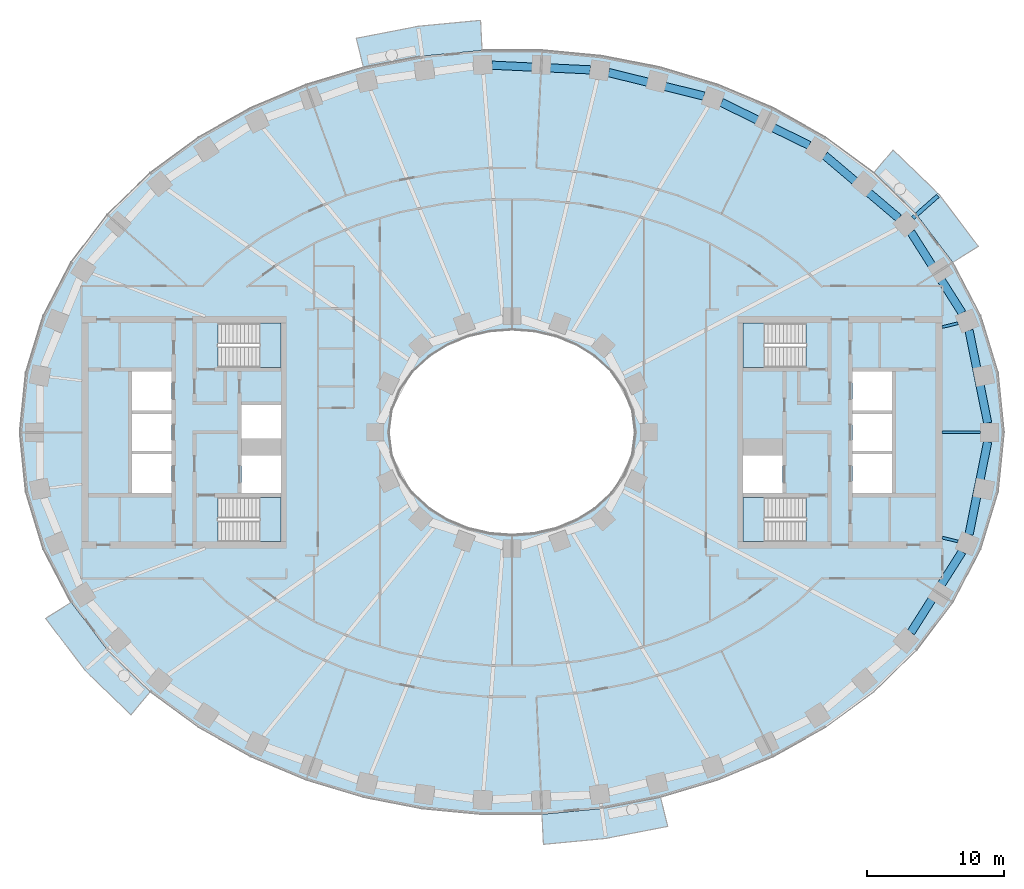
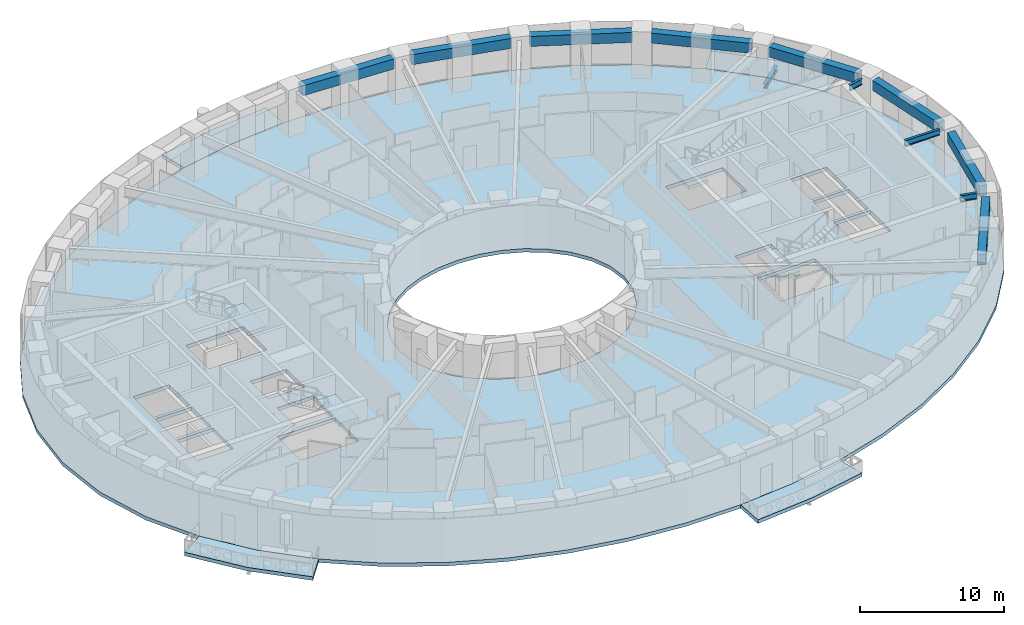
# One storey, part 2 of 16: 12 beams, 9 slabs, 4 elements without a shape of their own.
"""IFC4 building model written with IfcOpenShell, lengths in metres."""

from ifc_helpers import new_model, si_unit, direction, frame, origin, origin_2d, place, context, subcontext, project, spatial, polyline, rectangle, i_section, outline, extrude, material, layer, layer_set, material_profile, profile_set, type_object, element, aggregate, save


model = new_model("IFC4")

# Units and contexts
model_context = context("Model", 3, precision=1e-05, world=origin(), true_north=direction((0.0, 1.0)))
body_context = subcontext(model_context, "Body", "Model", "MODEL_VIEW")
ifc_project = project(units=[si_unit("LENGTHUNIT", "METRE"), si_unit("AREAUNIT", "SQUARE_METRE"), si_unit("VOLUMEUNIT", "CUBIC_METRE"), si_unit("PLANEANGLEUNIT", "RADIAN"), si_unit("MASSUNIT", "GRAM", prefix="KILO")], contexts=[model_context])

# Site, building, storey
site_placement = place(None, origin())
site = spatial("IfcSite", under=ifc_project, at=site_placement, CompositionType="ELEMENT")
building_placement = place(site_placement, origin())
building = spatial("IfcBuilding", under=site, at=building_placement, Name="Noorbagh Ring Tower", CompositionType="ELEMENT")
storey_placement = place(building_placement, frame((0.0, 0.0, 78.5)))
storey = spatial("IfcBuildingStorey", under=building, at=storey_placement, Name="L17", CompositionType="ELEMENT", Elevation=78.5)

# Beams
ifc_material_1 = material(Name="Steel S355", Category="steel")
ifc_material_profile_1 = material_profile(ifc_material_1, i_section(OverallWidth=0.300048828125, OverallDepth=0.39990234375, WebThickness=0.013427734375, FlangeThickness=0.02392578125, FilletRadius=0.027099609375, at=origin_2d()), Name="HEB400")
ifc_profile_set_1 = profile_set([ifc_material_profile_1], Name="Steel S355")
beam_type_1 = type_object("IfcBeamType", Name="STR-BALCONY-BRACKET-HEB400", PredefinedType="BEAM", material=ifc_profile_set_1)
beam_1_placement = place(storey_placement, frame((29.328125, 15.680908203125, -0.5), z_axis=(0.74904259367, 0.662521843314, 0.0), x_axis=(-0.662521843314, 0.74904259367, 0.0)))
element("IfcBeam", 1, at=beam_1_placement, inside=storey, type_object=beam_type_1, Name="Balcony bracket beam BN01", PredefinedType="BEAM", context=body_context, shape_type="SweptSolid", body=[
    extrude(i_section(OverallWidth=0.300048828125, OverallDepth=0.39990234375, WebThickness=0.013427734375, FlangeThickness=0.02392578125, FilletRadius=0.027099609375, at=origin_2d()), origin(), (0.0, 0.0, 1.0), 2.429443359375),
])
ifc_material_2 = material(Name="Steel S355", Category="steel")
ifc_material_profile_2 = material_profile(ifc_material_2, i_section(OverallWidth=0.199951171875, OverallDepth=0.5, WebThickness=0.01025390625, FlangeThickness=0.01611328125, FilletRadius=0.02099609375, at=origin_2d()), Name="IPE500")
ifc_profile_set_2 = profile_set([ifc_material_profile_2], Name="Steel S355")
beam_type_2 = type_object("IfcBeamType", Name="STR-RAD-IPE500", PredefinedType="BEAM", material=ifc_profile_set_2)
beam_2_placement = place(storey_placement, frame((34.2646484375, 0.0, 3.449951171875), z_axis=(-1.0, 0.0, 0.0), x_axis=(0.0, -1.0, 0.0)))
element("IfcBeam", 2, at=beam_2_placement, inside=storey, type_object=beam_type_2, Name="L17/bm/RD01", PredefinedType="BEAM", context=body_context, shape_type="SweptSolid", body=[
    extrude(i_section(OverallWidth=0.199951171875, OverallDepth=0.5, WebThickness=0.01025390625, FlangeThickness=0.01611328125, FilletRadius=0.02099609375, at=origin_2d()), origin(), (0.0, 0.0, 1.0), 2.78466796875),
])
for number, where, z_axis, x_axis, name in (
    (3, (32.636962890625, 7.98583984375, 3.449951171875), (-0.971348532858, -0.237659478485, 0.0), (0.237659478485, -0.971348532858, 0.0), "L17/bm/RD03"),
    (4, (32.636962890625, -7.98583984375, 3.449951171875), (-0.971348532858, 0.237659478485, 0.0), (-0.237659478485, -0.971348532858, 0.0), "L17/bm/RD45"),
):
    element("IfcBeam", number, at=place(storey_placement, frame(where, z_axis=z_axis, x_axis=x_axis)), inside=storey, type_object=beam_type_2, Name=name, PredefinedType="BEAM", context=body_context, shape_type="SweptSolid", body=[
        extrude(i_section(OverallWidth=0.199951171875, OverallDepth=0.5, WebThickness=0.01025390625, FlangeThickness=0.01611328125, FilletRadius=0.02099609375, at=origin_2d()), origin(), (0.0, 0.0, 1.0), 1.190673828125),
    ])
ifc_material_3 = material(Name="Concrete C40/50", Category="concrete")
ifc_material_profile_3 = material_profile(ifc_material_3, rectangle(XDim=0.60009765625, YDim=0.85009765625, at=origin_2d()), Name="RC600x850")
ifc_profile_set_3 = profile_set([ifc_material_profile_3], Name="Concrete C40/50")
beam_type_3 = type_object("IfcBeamType", Name="STR-SB-RC600x850-C40-50", PredefinedType="BEAM", material=ifc_profile_set_3)
beam_3_placement = place(storey_placement, frame((34.807861328125, 0.680419921875, 3.27490234375), z_axis=(-0.197227762478, 0.980357694777, 0.0), x_axis=(-0.980357694777, -0.197227762478, 0.0)))
element("IfcBeam", 5, at=beam_3_placement, inside=storey, type_object=beam_type_3, Name="L17/bm/SP01", PredefinedType="BEAM", context=body_context, shape_type="SweptSolid", body=[
    extrude(rectangle(XDim=0.60009765625, YDim=0.85009765625, at=origin_2d()), origin(), (0.0, 0.0, 1.0), 6.92578125),
])
beam_4_placement = place(storey_placement, frame((32.935302734375, 8.733154296875, 3.27490234375), z_axis=(-0.535200543046, 0.844725031429, 0.0), x_axis=(-0.844725031429, -0.535200543046, 0.0)))
element("IfcBeam", 6, at=beam_4_placement, inside=storey, type_object=beam_type_3, Name="L17/bm/SP03", PredefinedType="BEAM", context=body_context, shape_type="SweptSolid", body=[
    extrude(rectangle(XDim=0.60009765625, YDim=0.85009765625, at=origin_2d()), origin(), (0.0, 0.0, 1.0), 7.002685546875),
])
beam_5_placement = place(storey_placement, frame((28.29443359375, 15.6748046875, 3.27490234375), z_axis=(-0.763038677853, 0.646352826327, 0.0), x_axis=(-0.646352826327, -0.763038677853, 0.0)))
element("IfcBeam", 7, at=beam_5_placement, inside=storey, type_object=beam_type_3, Name="L17/bm/SP05", PredefinedType="BEAM", context=body_context, shape_type="SweptSolid", body=[
    extrude(rectangle(XDim=0.60009765625, YDim=0.85009765625, at=origin_2d()), origin(), (0.0, 0.0, 1.0), 7.088623046875),
])
beam_6_placement = place(storey_placement, frame((21.746826171875, 21.000732421875, 3.27490234375), z_axis=(-0.898400530475, 0.43917705637, 0.0), x_axis=(-0.43917705637, -0.898400530475, 0.0)))
element("IfcBeam", 8, at=beam_6_placement, inside=storey, type_object=beam_type_3, Name="L17/bm/SP07", PredefinedType="BEAM", context=body_context, shape_type="SweptSolid", body=[
    extrude(rectangle(XDim=0.60009765625, YDim=0.85009765625, at=origin_2d()), origin(), (0.0, 0.0, 1.0), 7.14892578125),
])
beam_7_placement = place(storey_placement, frame((14.045654296875, 24.604736328125, 3.27490234375), z_axis=(-0.970828401591, 0.239775342069, 0.0), x_axis=(-0.239775342069, -0.970828401591, 0.0)))
element("IfcBeam", 9, at=beam_7_placement, inside=storey, type_object=beam_type_3, Name="L17/bm/SP09", PredefinedType="BEAM", context=body_context, shape_type="SweptSolid", body=[
    extrude(rectangle(XDim=0.60009765625, YDim=0.85009765625, at=origin_2d()), origin(), (0.0, 0.0, 1.0), 7.182373046875),
])
beam_8_placement = place(storey_placement, frame((5.726806640625, 26.5234375, 3.27490234375), z_axis=(-0.998869595741, 0.047534521183, 0.0), x_axis=(-0.047534521183, -0.998869595741, 0.0)))
element("IfcBeam", 10, at=beam_8_placement, inside=storey, type_object=beam_type_3, Name="L17/bm/SP11", PredefinedType="BEAM", context=body_context, shape_type="SweptSolid", body=[
    extrude(rectangle(XDim=0.60009765625, YDim=0.85009765625, at=origin_2d()), origin(), (0.0, 0.0, 1.0), 7.195556640625),
])
beam_9_placement = place(storey_placement, frame((29.1875, -14.6484375, 3.27490234375), z_axis=(0.535200543046, 0.844725031429, 0.0), x_axis=(-0.844725031429, 0.535200543046, 0.0)))
element("IfcBeam", 11, at=beam_9_placement, inside=storey, type_object=beam_type_3, Name="L17/bm/SP43", PredefinedType="BEAM", context=body_context, shape_type="SweptSolid", body=[
    extrude(rectangle(XDim=0.60009765625, YDim=0.85009765625, at=origin_2d()), origin(), (0.0, 0.0, 1.0), 7.002685546875),
])
beam_10_placement = place(storey_placement, frame((33.44189453125, -7.47021484375, 3.27490234375), z_axis=(0.197227762478, 0.980357694777, 0.0), x_axis=(-0.980357694777, 0.197227762478, 0.0)))
element("IfcBeam", 12, at=beam_10_placement, inside=storey, type_object=beam_type_3, Name="L17/bm/SP45", PredefinedType="BEAM", context=body_context, shape_type="SweptSolid", body=[
    extrude(rectangle(XDim=0.60009765625, YDim=0.85009765625, at=origin_2d()), origin(), (0.0, 0.0, 1.0), 6.92578125),
])

# Stair, slab
ifc_material_4 = material(Name="Concrete C40/50", Category="concrete")
stair_type = type_object("IfcStairType", Name="CORE-STAIR", PredefinedType="HALF_TURN_STAIR", material=ifc_material_4)
stair_1_placement = place(storey_placement, origin())
stair_1 = element("IfcStair", 13, at=stair_1_placement, inside=storey, type_object=stair_type, Name="L17 Exit stair ST1", PredefinedType="HALF_TURN_STAIR")
ifc_material_5 = material(Name="Concrete C40/50", Category="concrete")
ifc_layer_1 = layer(ifc_material_5, 0.300048828125)
ifc_layer_set_1 = layer_set([ifc_layer_1], Name="Concrete C40/50")
slab_type_1 = type_object("IfcSlabType", Name="CORE-STAIR-LANDING", PredefinedType="LANDING", material=ifc_layer_set_1)
slab_1_placement = place(storey_placement, frame((0.0, 0.0, 1.699951171875)))
slab_1 = element("IfcSlab", 14, at=slab_1_placement, type_object=slab_type_1, Name="ST1 landing 1", PredefinedType="LANDING", context=body_context, shape_type="SweptSolid", body=[
    extrude(outline(polyline([(-18.449951171875, 4.75), (-16.89990234375, 4.75), (-16.89990234375, 8.0), (-18.449951171875, 8.0), (-18.449951171875, 4.75)])), origin(), (0.0, 0.0, 1.0), 0.300048828125),
])
aggregate(stair_1, [slab_1])

stair_2_placement = place(storey_placement, origin())
stair_2 = element("IfcStair", 15, at=stair_2_placement, inside=storey, type_object=stair_type, Name="L17 Exit stair ST2", PredefinedType="HALF_TURN_STAIR")
slab_2_placement = place(storey_placement, frame((0.0, 0.0, 1.699951171875)))
slab_2 = element("IfcSlab", 16, at=slab_2_placement, type_object=slab_type_1, Name="ST2 landing 1", PredefinedType="LANDING", context=body_context, shape_type="SweptSolid", body=[
    extrude(outline(polyline([(-18.449951171875, -8.0), (-16.89990234375, -8.0), (-16.89990234375, -4.75), (-18.449951171875, -4.75), (-18.449951171875, -8.0)])), origin(), (0.0, 0.0, 1.0), 0.300048828125),
])
aggregate(stair_2, [slab_2])

stair_3_placement = place(storey_placement, origin())
stair_3 = element("IfcStair", 17, at=stair_3_placement, inside=storey, type_object=stair_type, Name="L17 Exit stair ST3", PredefinedType="HALF_TURN_STAIR")
slab_3_placement = place(storey_placement, frame((0.0, 0.0, 1.699951171875)))
slab_3 = element("IfcSlab", 18, at=slab_3_placement, type_object=slab_type_1, Name="ST3 landing 1", PredefinedType="LANDING", context=body_context, shape_type="SweptSolid", body=[
    extrude(outline(polyline([(18.449951171875, 8.0), (16.89990234375, 8.0), (16.89990234375, 4.75), (18.449951171875, 4.75), (18.449951171875, 8.0)])), origin(), (0.0, 0.0, 1.0), 0.300048828125),
])
aggregate(stair_3, [slab_3])

stair_4_placement = place(storey_placement, origin())
stair_4 = element("IfcStair", 19, at=stair_4_placement, inside=storey, type_object=stair_type, Name="L17 Exit stair ST4", PredefinedType="HALF_TURN_STAIR")
slab_4_placement = place(storey_placement, frame((0.0, 0.0, 1.699951171875)))
slab_4 = element("IfcSlab", 20, at=slab_4_placement, type_object=slab_type_1, Name="ST4 landing 1", PredefinedType="LANDING", context=body_context, shape_type="SweptSolid", body=[
    extrude(outline(polyline([(18.449951171875, -4.75), (16.89990234375, -4.75), (16.89990234375, -8.0), (18.449951171875, -8.0), (18.449951171875, -4.75)])), origin(), (0.0, 0.0, 1.0), 0.300048828125),
])
aggregate(stair_4, [slab_4])

# Slabs
ifc_material_6 = material(Name="Concrete C40/50", Category="concrete")
ifc_layer_2 = layer(ifc_material_6, 0.300048828125)
ifc_layer_set_2 = layer_set([ifc_layer_2], Name="Concrete C40/50")
slab_type_2 = type_object("IfcSlabType", Name="ENV-BALCONY DECK 300", PredefinedType="FLOOR", material=ifc_layer_set_2)
slab_5_placement = place(storey_placement, frame((0.0, 0.0, -0.300048828125)))
element("IfcSlab", 21, at=slab_5_placement, inside=storey, type_object=slab_type_2, Name="Tree balcony deck BN01", PredefinedType="FLOOR", context=body_context, shape_type="SweptSolid", body=[
    extrude(outline(polyline([(34.120361328125, 13.615966796875), (31.26025390625, 17.389892578125), (27.888671875, 20.665771484375), (26.463134765625, 18.983154296875), (29.607666015625, 15.92822265625), (32.255126953125, 12.434814453125), (34.120361328125, 13.615966796875)])), origin(), (0.0, 0.0, 1.0), 0.300048828125),
])
slab_6_placement = place(storey_placement, frame((0.0, 0.0, -0.300048828125)))
element("IfcSlab", 22, at=slab_6_placement, inside=storey, type_object=slab_type_2, Name="Tree balcony deck BN04", PredefinedType="FLOOR", context=body_context, shape_type="SweptSolid", body=[
    extrude(outline(polyline([(-2.2978515625, 30.14794921875), (-6.874755859375, 29.711181640625), (-11.3935546875, 28.832763671875), (-10.865234375, 26.6943359375), (-6.5595703125, 27.53125), (-2.193115234375, 27.947998046875), (-2.2978515625, 30.14794921875)])), origin(), (0.0, 0.0, 1.0), 0.300048828125),
])
slab_7_placement = place(storey_placement, frame((0.0, 0.0, -0.300048828125)))
element("IfcSlab", 23, at=slab_7_placement, inside=storey, type_object=slab_type_2, Name="Tree balcony deck BS01", PredefinedType="FLOOR", context=body_context, shape_type="SweptSolid", body=[
    extrude(outline(polyline([(-34.120361328125, -13.615966796875), (-31.26025390625, -17.389892578125), (-27.888671875, -20.665771484375), (-26.463134765625, -18.983154296875), (-29.607666015625, -15.92822265625), (-32.255126953125, -12.434814453125), (-34.120361328125, -13.615966796875)])), origin(), (0.0, 0.0, 1.0), 0.300048828125),
])
slab_8_placement = place(storey_placement, frame((0.0, 0.0, -0.300048828125)))
element("IfcSlab", 24, at=slab_8_placement, inside=storey, type_object=slab_type_2, Name="Tree balcony deck BS04", PredefinedType="FLOOR", context=body_context, shape_type="SweptSolid", body=[
    extrude(outline(polyline([(2.2978515625, -30.14794921875), (6.874755859375, -29.711181640625), (11.3935546875, -28.832763671875), (10.865234375, -26.6943359375), (6.5595703125, -27.53125), (2.193115234375, -27.947998046875), (2.2978515625, -30.14794921875)])), origin(), (0.0, 0.0, 1.0), 0.300048828125),
])
ifc_material_7 = material(Name="Concrete C40/50", Category="concrete")
ifc_layer_3 = layer(ifc_material_7, 0.300048828125)
ifc_layer_set_3 = layer_set([ifc_layer_3], Name="Concrete C40/50")
slab_type_3 = type_object("IfcSlabType", Name="STR-FLOOR-DECK-300", PredefinedType="FLOOR", material=ifc_layer_set_3)
slab_9_placement = place(storey_placement, frame((0.0, 0.0, -0.300048828125)))
element("IfcSlab", 25, at=slab_9_placement, inside=storey, type_object=slab_type_3, Name="L17/slab/1", PredefinedType="FLOOR", context=body_context, shape_type="SweptSolid", body=[
    extrude(outline(polyline([(36.0, 0.0), (35.56103515625, 4.358642578125), (34.281005859375, 8.548828125), (32.255126953125, 12.434814453125), (29.607666015625, 15.92822265625), (26.463134765625, 18.983154296875), (22.9326171875, 21.583740234375), (19.108154296875, 23.730224609375), (15.0654296875, 25.430419921875), (10.865234375, 26.6943359375), (6.5595703125, 27.53125), (2.193115234375, 27.947998046875), (-2.193115234375, 27.947998046875), (-6.5595703125, 27.53125), (-10.865234375, 26.6943359375), (-15.0654296875, 25.430419921875), (-19.108154296875, 23.730224609375), (-22.9326171875, 21.583740234375), (-26.463134765625, 18.983154296875), (-29.607666015625, 15.92822265625), (-32.255126953125, 12.434814453125), (-34.281005859375, 8.548828125), (-35.56103515625, 4.358642578125), (-36.0, 0.0), (-35.56103515625, -4.358642578125), (-34.281005859375, -8.548828125), (-32.255126953125, -12.434814453125), (-29.607666015625, -15.92822265625), (-26.463134765625, -18.983154296875), (-22.9326171875, -21.583740234375), (-19.108154296875, -23.730224609375), (-15.0654296875, -25.430419921875), (-10.865234375, -26.6943359375), (-6.5595703125, -27.53125), (-2.193115234375, -27.947998046875), (2.193115234375, -27.947998046875), (6.5595703125, -27.53125), (10.865234375, -26.6943359375), (15.0654296875, -25.430419921875), (19.108154296875, -23.730224609375), (22.9326171875, -21.583740234375), (26.463134765625, -18.983154296875), (29.607666015625, -15.92822265625), (32.255126953125, -12.434814453125), (34.281005859375, -8.548828125), (35.56103515625, -4.358642578125), (36.0, 0.0)]), holes=[polyline([(24.89990234375, -1.60009765625), (27.800048828125, -1.60009765625), (27.800048828125, -4.449951171875), (24.89990234375, -4.449951171875), (24.89990234375, -1.60009765625)]), polyline([(24.89990234375, 1.35009765625), (27.800048828125, 1.35009765625), (27.800048828125, -1.35009765625), (24.89990234375, -1.35009765625), (24.89990234375, 1.35009765625)]), polyline([(24.89990234375, 4.449951171875), (27.800048828125, 4.449951171875), (27.800048828125, 1.60009765625), (24.89990234375, 1.60009765625), (24.89990234375, 4.449951171875)]), polyline([(21.529541015625, -4.75), (21.529541015625, -8.0), (16.89990234375, -8.0), (16.89990234375, -4.75), (21.529541015625, -4.75)]), polyline([(21.529541015625, 4.75), (16.89990234375, 4.75), (16.89990234375, 8.0), (21.529541015625, 8.0), (21.529541015625, 4.75)]), polyline([(16.89990234375, -1.699951171875), (19.800048828125, -1.699951171875), (19.800048828125, -4.449951171875), (16.89990234375, -4.449951171875), (16.89990234375, -1.699951171875)]), polyline([(4.697509765625, -6.3974609375), (3.196533203125, -7.010986328125), (1.6171875, -7.3779296875), (0.0, -7.5), (-1.6171875, -7.3779296875), (-3.196533203125, -7.010986328125), (-4.697509765625, -6.3974609375), (-6.071044921875, -5.53662109375), (-7.2587890625, -4.43408203125), (-8.1904296875, -3.10888671875), (-8.79150390625, -1.605224609375), (-9.0, 0.0), (-8.79150390625, 1.605224609375), (-8.1904296875, 3.10888671875), (-7.2587890625, 4.43408203125), (-6.071044921875, 5.53662109375), (-4.697509765625, 6.3974609375), (-3.196533203125, 7.010986328125), (-1.6171875, 7.3779296875), (0.0, 7.5), (1.6171875, 7.3779296875), (3.196533203125, 7.010986328125), (4.697509765625, 6.3974609375), (6.071044921875, 5.53662109375), (7.2587890625, 4.43408203125), (8.1904296875, 3.10888671875), (8.79150390625, 1.605224609375), (9.0, 0.0), (8.79150390625, -1.605224609375), (8.1904296875, -3.10888671875), (7.2587890625, -4.43408203125), (6.071044921875, -5.53662109375), (4.697509765625, -6.3974609375)]), polyline([(-21.529541015625, -8.0), (-21.529541015625, -4.75), (-16.89990234375, -4.75), (-16.89990234375, -8.0), (-21.529541015625, -8.0)]), polyline([(-21.529541015625, 8.0), (-16.89990234375, 8.0), (-16.89990234375, 4.75), (-21.529541015625, 4.75), (-21.529541015625, 8.0)]), polyline([(-16.89990234375, -4.449951171875), (-19.800048828125, -4.449951171875), (-19.800048828125, -1.699951171875), (-16.89990234375, -1.699951171875), (-16.89990234375, -4.449951171875)]), polyline([(-16.89990234375, -0.449951171875), (-19.800048828125, -0.449951171875), (-19.800048828125, 2.0), (-16.89990234375, 2.0), (-16.89990234375, -0.449951171875)]), polyline([(-24.89990234375, -4.449951171875), (-27.800048828125, -4.449951171875), (-27.800048828125, -1.60009765625), (-24.89990234375, -1.60009765625), (-24.89990234375, -4.449951171875)]), polyline([(-24.89990234375, -1.35009765625), (-27.800048828125, -1.35009765625), (-27.800048828125, 1.35009765625), (-24.89990234375, 1.35009765625), (-24.89990234375, -1.35009765625)]), polyline([(-24.89990234375, 1.60009765625), (-27.800048828125, 1.60009765625), (-27.800048828125, 4.449951171875), (-24.89990234375, 4.449951171875), (-24.89990234375, 1.60009765625)])]), origin(), (0.0, 0.0, 1.0), 0.300048828125),
])

save(model, "model.ifc")
